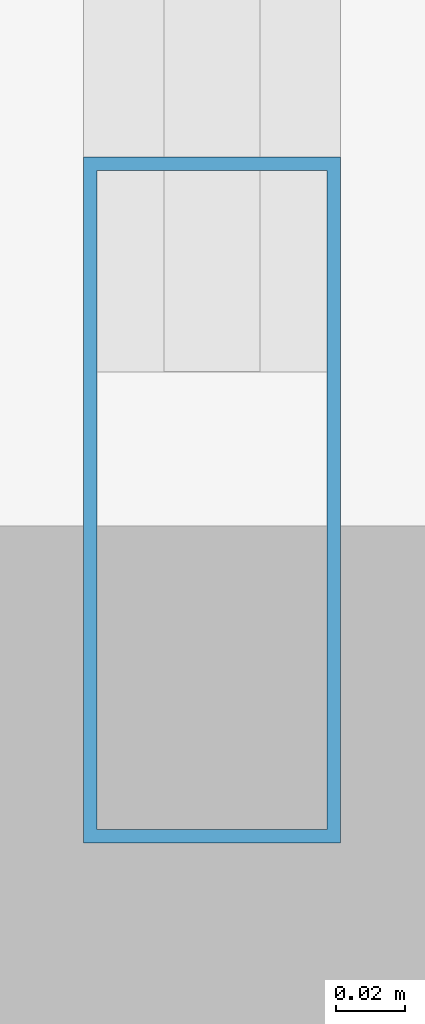
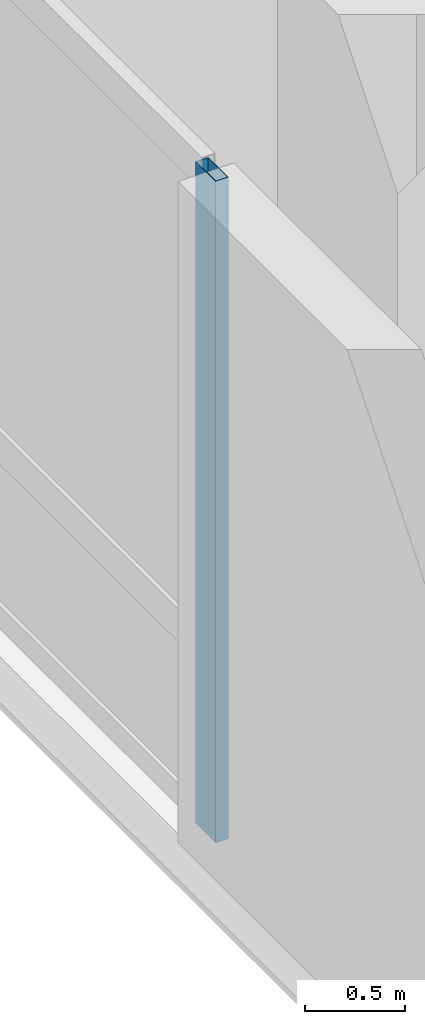
# One storey, part 2 of 31: 1 member, 1 element without a shape of its own.
"""IFC4 building model written with IfcOpenShell, lengths in metres."""

from ifc_helpers import new_model, si_unit, direction, frame, origin, origin_2d, place, context, subcontext, project, spatial, hollow_rectangle, extrude, material, layer, layer_set, material_profile, profile_set, type_object, element, aggregate, save


model = new_model("IFC4")

# Units and contexts
model_context = context("Model", 3, precision=1e-05, world=origin(), true_north=direction((0.0, 1.0)))
body_context = subcontext(model_context, "Body", "Model", "MODEL_VIEW")
ifc_project = project(units=[si_unit("LENGTHUNIT", "METRE"), si_unit("AREAUNIT", "SQUARE_METRE"), si_unit("VOLUMEUNIT", "CUBIC_METRE"), si_unit("PLANEANGLEUNIT", "RADIAN"), si_unit("MASSUNIT", "GRAM", prefix="KILO")], contexts=[model_context])

# Site, building, storey
site_placement = place(None, origin())
site = spatial("IfcSite", under=ifc_project, at=site_placement, CompositionType="ELEMENT")
building_placement = place(site_placement, origin())
building = spatial("IfcBuilding", under=site, at=building_placement, Name="Varnelok Gate Tower", CompositionType="ELEMENT")
storey_placement = place(building_placement, frame((0.0, 0.0, 16.199951171875)))
storey = spatial("IfcBuildingStorey", under=building, at=storey_placement, Name="L03", CompositionType="ELEMENT", Elevation=16.199951171875)

# Curtain wall, member
ifc_material = material(Name="Anodized Aluminum Alloy 6063-T6", Category="aluminium")
ifc_layer = layer(ifc_material, 0.179931640625)
ifc_layer_set = layer_set([ifc_layer], Name="Anodized Aluminum Alloy 6063-T6")
curtain_wall_type = type_object("IfcCurtainWallType", Name="CW1-ARCH-PORTAL", PredefinedType="USERDEFINED", material=ifc_layer_set)
curtain_wall_placement = place(storey_placement, origin())
curtain_wall = element("IfcCurtainWall", 1, at=curtain_wall_placement, inside=storey, type_object=curtain_wall_type, Name="L03 Podium Portal Curtain Wall W", ObjectType="UNITISED CURTAIN WALL", PredefinedType="USERDEFINED")
ifc_material_profile = material_profile(ifc_material, hollow_rectangle(XDim=0.074951171875, YDim=0.199951171875, WallThickness=0.00390625, at=origin_2d()), Name="ALU200X75X4")
ifc_profile_set = profile_set([ifc_material_profile], Name="Anodized Aluminum Alloy 6063-T6")
member_type = type_object("IfcMemberType", Name="CW-MULL-200", PredefinedType="MULLION", material=ifc_profile_set)
member_placement = place(storey_placement, frame((0.159912109375, 15.237548828125, 0.0), z_axis=(0.0, 0.0, 1.0), x_axis=(-1.0, 0.0, 0.0)))
member = element("IfcMember", 2, at=member_placement, type_object=member_type, Name="CW1 mullion 1", PredefinedType="MULLION", context=body_context, shape_type="SweptSolid", body=[
    extrude(hollow_rectangle(XDim=0.074951171875, YDim=0.199951171875, WallThickness=0.00390625, at=origin_2d()), origin(), (0.0, 0.0, 1.0), 4.030029296875),
])
aggregate(curtain_wall, [member])

save(model, "model.ifc")
